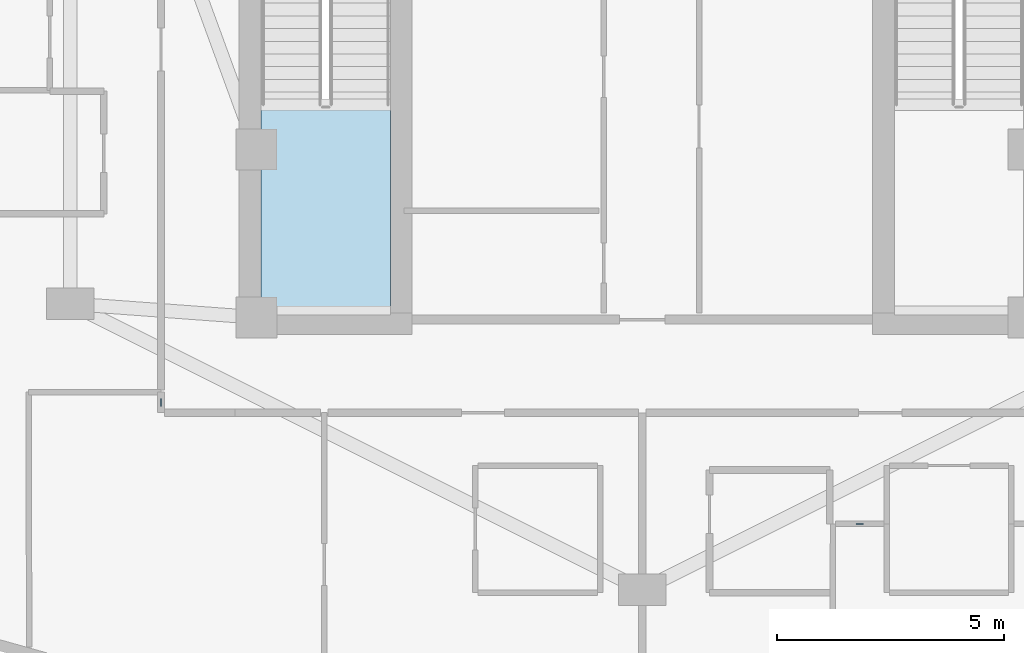
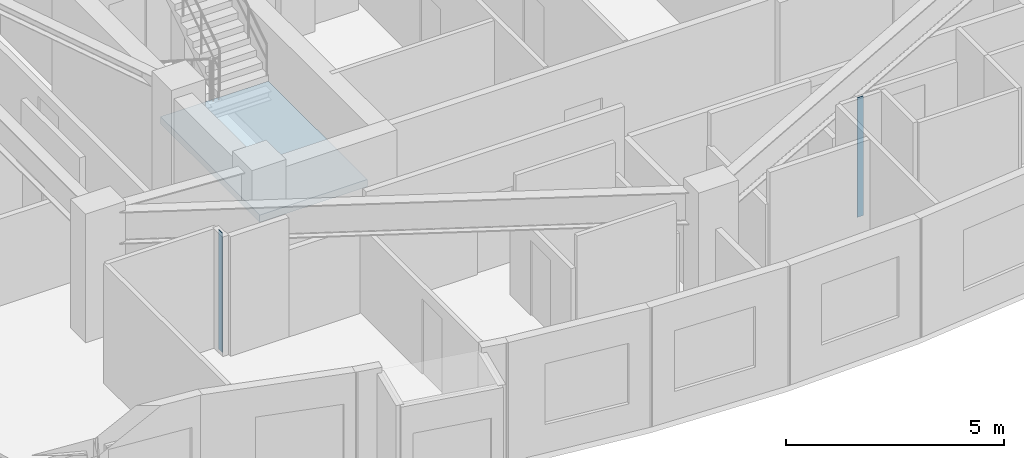
# One storey, part 2 of 13: 2 plates, 1 slab, 1 element without a shape of its own.
"""IFC4 building model written with IfcOpenShell, lengths in metres."""

from ifc_helpers import new_model, si_unit, direction, frame, origin, origin_2d, place, context, subcontext, project, spatial, polyline, rectangle, outline, extrude, material, layer, layer_set, type_object, element, aggregate, save


model = new_model("IFC4")

# Units and contexts
model_context = context("Model", 3, precision=1e-05, world=origin(), true_north=direction((0.0, 1.0)))
body_context = subcontext(model_context, "Body", "Model", "MODEL_VIEW")
ifc_project = project(units=[si_unit("LENGTHUNIT", "METRE"), si_unit("AREAUNIT", "SQUARE_METRE"), si_unit("VOLUMEUNIT", "CUBIC_METRE"), si_unit("PLANEANGLEUNIT", "RADIAN"), si_unit("MASSUNIT", "GRAM", prefix="KILO")], contexts=[model_context])

# Site, building, storey
site_placement = place(None, origin())
site = spatial("IfcSite", under=ifc_project, at=site_placement, CompositionType="ELEMENT")
building_placement = place(site_placement, origin())
building = spatial("IfcBuilding", under=site, at=building_placement, Name="Miruveldt Soraemaru", CompositionType="ELEMENT")
storey_placement = place(building_placement, frame((0.0, 0.0, 205.199951171875)))
storey = spatial("IfcBuildingStorey", under=building, at=storey_placement, Name="L56", CompositionType="ELEMENT", Elevation=205.199951171875)

# Plates
ifc_material_1 = material(Name="Anodised aluminium EN AW-6063 T6", Category="aluminium")
ifc_layer_1 = layer(ifc_material_1, 0.02001953125, Name="Anodised aluminium EN AW-6063 T6", Category="aluminium")
ifc_layer_set_1 = layer_set([ifc_layer_1], Name="Anodised aluminium EN AW-6063 T6")
plate_type = type_object("IfcPlateType", Name="PLT-PART-TRIM", PredefinedType="SHEET", material=ifc_layer_set_1)
for number, where, z_axis, x_axis, name in (
    (1, (48.7900390625, 30.949951171875, 0.0), (0.0, 0.0, 1.0), (1.0, 0.0, 0.0), "L56 Partition Step Corner Trim Plate 050"),
    (2, (33.39990234375, 33.6259765625, 0.0), (0.0, 0.0, 1.0), (0.0, -1.0, 0.0), "L56 Partition Step Corner Trim Plate 005"),
):
    element("IfcPlate", number, at=place(storey_placement, frame(where, z_axis=z_axis, x_axis=x_axis)), inside=storey, type_object=plate_type, Name=name, PredefinedType="SHEET", context=body_context, shape_type="SweptSolid", body=[
        extrude(rectangle(XDim=0.159912109375, YDim=0.02001953125, at=origin_2d()), origin(), (0.0, 0.0, 1.0), 3.344970703125),
    ])

# Stair, slab
ifc_material_2 = material(Name="Concrete C40/50 (40 MPa)", Category="concrete")
stair_type = type_object("IfcStairType", Name="STAIR-DL-360", PredefinedType="HALF_TURN_STAIR", material=ifc_material_2)
stair_placement = place(storey_placement, origin())
stair = element("IfcStair", 3, at=stair_placement, inside=storey, type_object=stair_type, Name="L56 Protected Exit Stair ST-1", PredefinedType="HALF_TURN_STAIR")
ifc_layer_2 = layer(ifc_material_2, 0.199951171875, Name="Concrete C40/50 (40 MPa)", Category="concrete")
ifc_layer_set_2 = layer_set([ifc_layer_2], Name="Concrete C40/50 (40 MPa)")
slab_type = type_object("IfcSlabType", Name="SLAB-LAND-200", PredefinedType="LANDING", material=ifc_layer_set_2)
slab_placement = place(storey_placement, frame((0.0, 0.0, 1.60009765625)))
slab = element("IfcSlab", 4, at=slab_placement, type_object=slab_type, Name="ST-1 landing 1", PredefinedType="LANDING", context=body_context, shape_type="SweptSolid", body=[
    extrude(outline(polyline([(35.60009765625, 40.197998046875), (35.60009765625, 35.64990234375), (38.449951171875, 35.64990234375), (38.449951171875, 40.197998046875), (35.60009765625, 40.197998046875)])), origin(), (0.0, 0.0, 1.0), 0.199951171875),
])
aggregate(stair, [slab])

save(model, "model.ifc")
